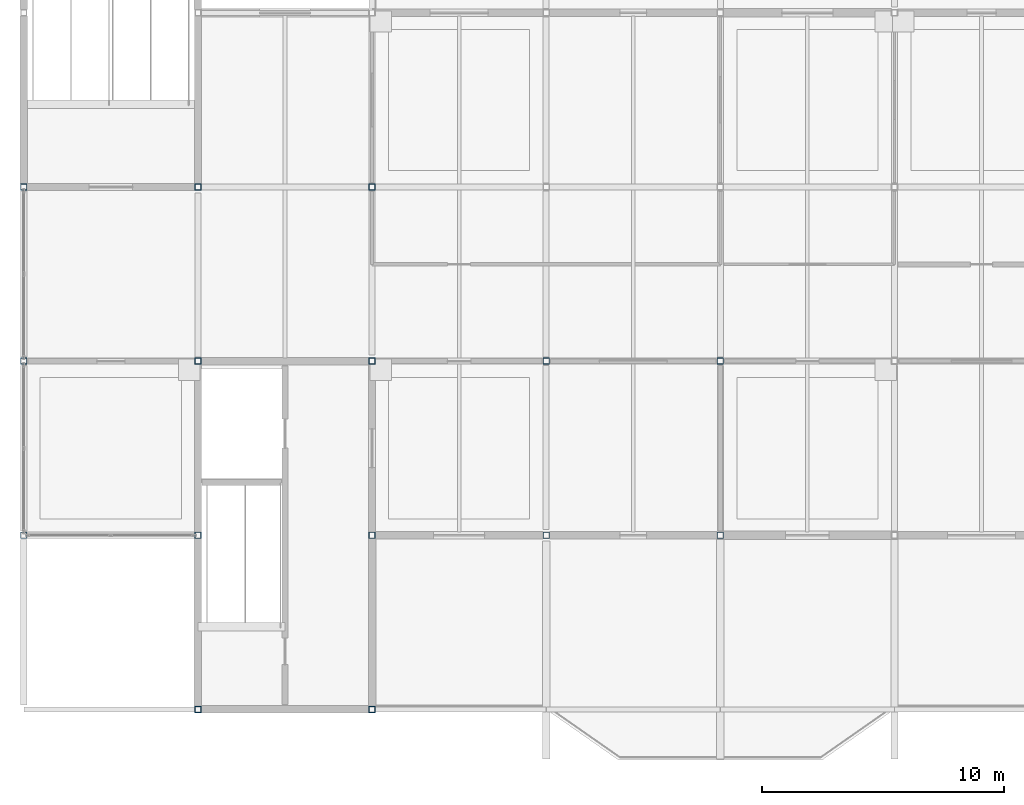
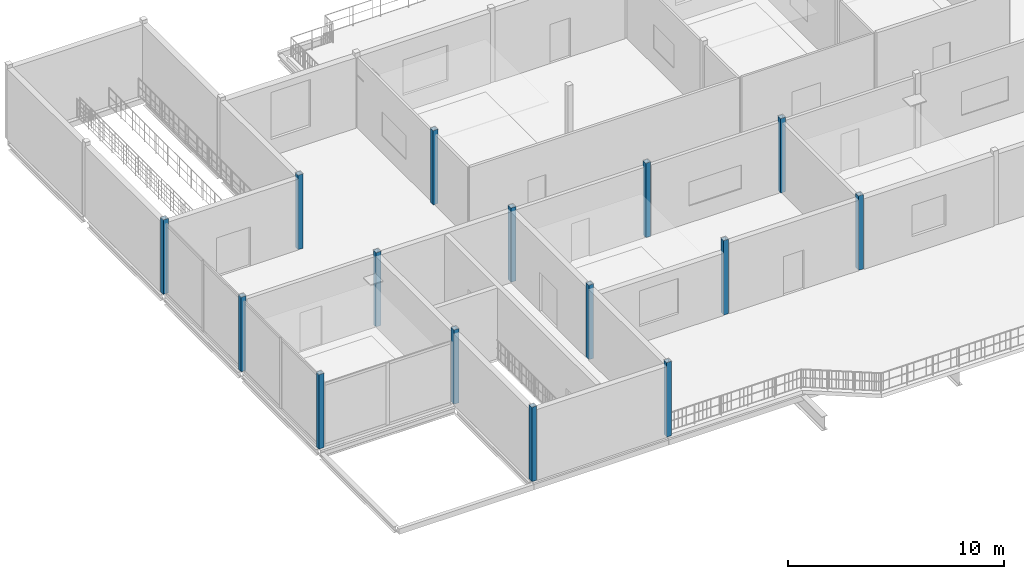
# One storey, part 1 of 18: 15 columns.
"""IFC4 building model written with IfcOpenShell, lengths in metres."""

from ifc_helpers import new_model, si_unit, direction, frame, origin, origin_2d, place, context, subcontext, project, spatial, hollow_rectangle, extrude, material, material_profile, profile_set, type_object, element, save


model = new_model("IFC4")

# Units and contexts
model_context = context("Model", 3, precision=1e-05, world=origin(), true_north=direction((0.0, 1.0)))
body_context = subcontext(model_context, "Body", "Model", "MODEL_VIEW")
ifc_project = project(units=[si_unit("LENGTHUNIT", "METRE"), si_unit("AREAUNIT", "SQUARE_METRE"), si_unit("VOLUMEUNIT", "CUBIC_METRE"), si_unit("PLANEANGLEUNIT", "RADIAN"), si_unit("MASSUNIT", "GRAM", prefix="KILO")], contexts=[model_context])

# Site, building, storey
site_placement = place(None, origin())
site = spatial("IfcSite", under=ifc_project, at=site_placement, CompositionType="ELEMENT")
building_placement = place(site_placement, origin())
building = spatial("IfcBuilding", under=site, at=building_placement, Name="Vesperath Aquatics Centre", CompositionType="ELEMENT")
storey_placement = place(building_placement, frame((0.0, 0.0, 23.39990234375)))
storey = spatial("IfcBuildingStorey", under=building, at=storey_placement, Name="L05", CompositionType="ELEMENT", Elevation=23.39990234375)

# Columns
ifc_material = material(Name="Steel Q355C", Category="steel")
ifc_material_profile = material_profile(ifc_material, hollow_rectangle(XDim=0.260009765625, YDim=0.260009765625, WallThickness=0.011962890625, at=origin_2d()), Name="SHS 260x260x12")
ifc_profile_set = profile_set([ifc_material_profile], Name="Steel Q355C")
column_type = type_object("IfcColumnType", Name="CL-C17", PredefinedType="COLUMN", material=ifc_profile_set)
for number, where, z_axis, x_axis, name in (
    (1, (115.199951171875, 7.199951171875, 0.0), (0.0, 0.0, 1.0), (1.0, 0.0, 0.0), "Column C17 L05 17/B"),
    (2, (115.199951171875, 14.39990234375, 0.0), (0.0, 0.0, 1.0), (1.0, 0.0, 0.0), "Column C17 L05 17/C"),
    (3, (115.199951171875, 21.60009765625, 0.0), (0.0, 0.0, 1.0), (1.0, 0.0, 0.0), "Column C17 L05 17/D"),
    (4, (122.39990234375, 0.0, 0.0), (0.0, 0.0, 1.0), (1.0, 0.0, 0.0), "Column C17 L05 18/A"),
    (5, (122.39990234375, 7.199951171875, 0.0), (0.0, 0.0, 1.0), (1.0, 0.0, 0.0), "Column C17 L05 18/B"),
    (6, (122.39990234375, 14.39990234375, 0.0), (0.0, 0.0, 1.0), (1.0, 0.0, 0.0), "Column C17 L05 18/C"),
    (7, (122.39990234375, 21.60009765625, 0.0), (0.0, 0.0, 1.0), (1.0, 0.0, 0.0), "Column C17 L05 18/D"),
    (8, (129.60009765625, 0.0, 0.0), (0.0, 0.0, 1.0), (1.0, 0.0, 0.0), "Column C17 L05 19/A"),
    (9, (129.60009765625, 7.199951171875, 0.0), (0.0, 0.0, 1.0), (1.0, 0.0, 0.0), "Column C17 L05 19/B"),
    (10, (129.60009765625, 14.39990234375, 0.0), (0.0, 0.0, 1.0), (1.0, 0.0, 0.0), "Column C17 L05 19/C"),
    (11, (129.60009765625, 21.60009765625, 0.0), (0.0, 0.0, 1.0), (1.0, 0.0, 0.0), "Column C17 L05 19/D"),
    (12, (136.800048828125, 7.199951171875, 0.0), (0.0, 0.0, 1.0), (1.0, 0.0, 0.0), "Column C17 L05 20/B"),
    (13, (136.800048828125, 14.39990234375, 0.0), (0.0, 0.0, 1.0), (1.0, 0.0, 0.0), "Column C17 L05 20/C"),
    (14, (144.0, 7.199951171875, 0.0), (0.0, 0.0, 1.0), (1.0, 0.0, 0.0), "Column C17 L05 21/B"),
    (15, (144.0, 14.39990234375, 0.0), (0.0, 0.0, 1.0), (1.0, 0.0, 0.0), "Column C17 L05 21/C"),
):
    element("IfcColumn", number, at=place(storey_placement, frame(where, z_axis=z_axis, x_axis=x_axis)), inside=storey, type_object=column_type, Name=name, PredefinedType="COLUMN", context=body_context, shape_type="SweptSolid", body=[
        extrude(hollow_rectangle(XDim=0.260009765625, YDim=0.260009765625, WallThickness=0.011962890625, at=origin_2d()), origin(), (0.0, 0.0, 1.0), 4.2001953125),
    ])

save(model, "model.ifc")
